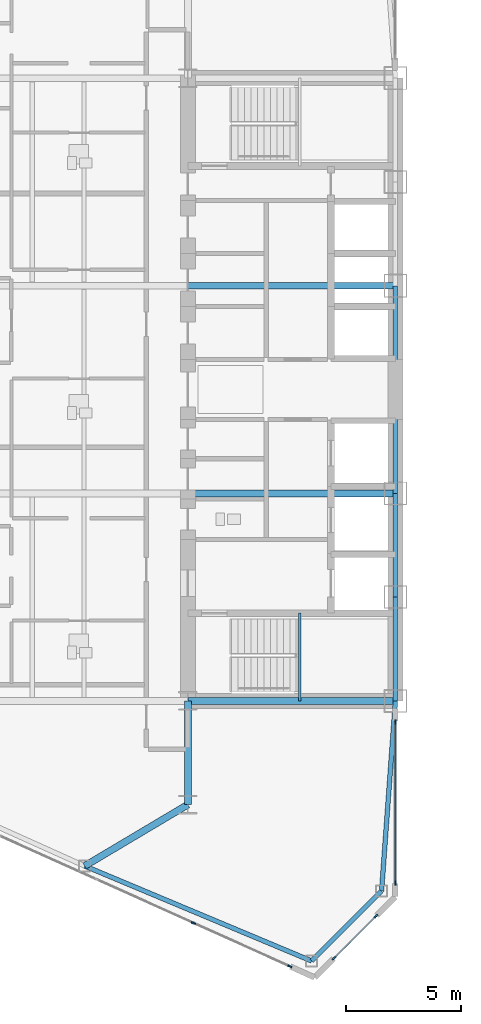
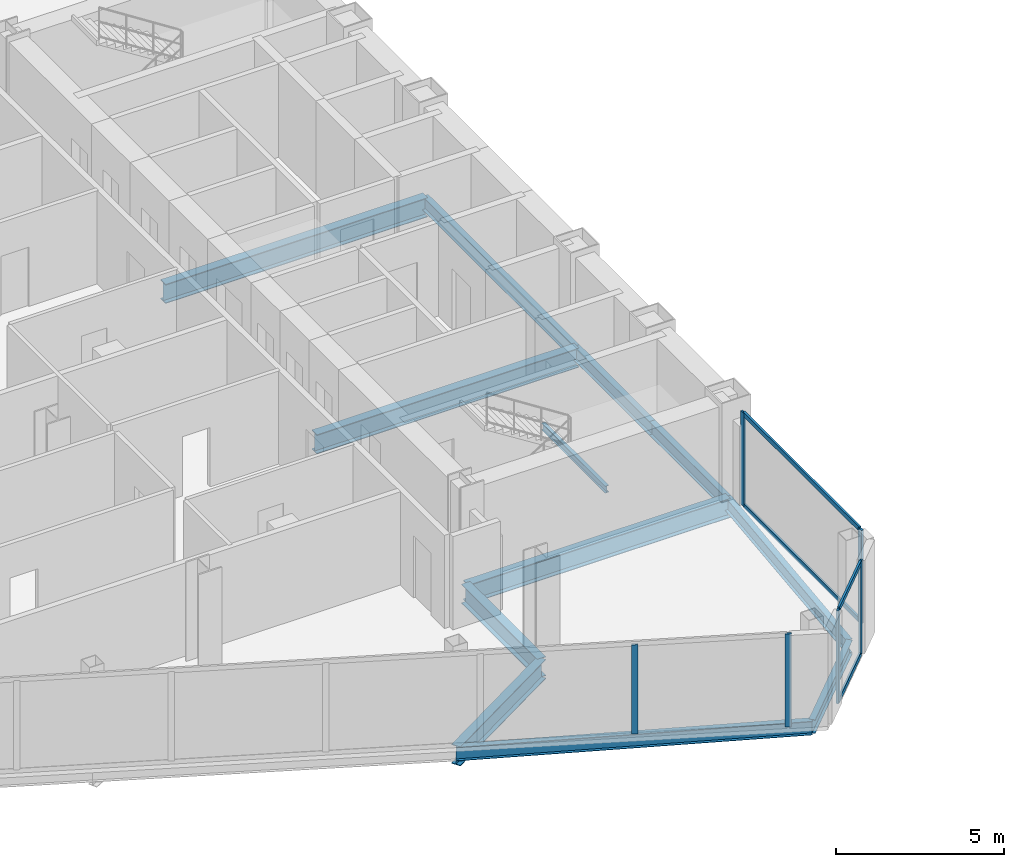
# One storey, part 6 of 27: 12 beams, 10 members, 3 elements without a shape of their own.
"""IFC4 building model written with IfcOpenShell, lengths in metres."""

from ifc_helpers import new_model, si_unit, direction, frame, origin, origin_2d, place, context, subcontext, project, spatial, rectangle, i_section, extrude, source, transform, mapped, material, layer, layer_set, material_profile, profile_set, type_object, type_shapes, element, aggregate, save


model = new_model("IFC4")

# Units and contexts
model_context = context("Model", 3, precision=1e-05, world=origin(), true_north=direction((0.0, 1.0)))
body_context = subcontext(model_context, "Body", "Model", "MODEL_VIEW")
ifc_project = project(units=[si_unit("LENGTHUNIT", "METRE"), si_unit("AREAUNIT", "SQUARE_METRE"), si_unit("VOLUMEUNIT", "CUBIC_METRE"), si_unit("PLANEANGLEUNIT", "RADIAN"), si_unit("MASSUNIT", "GRAM", prefix="KILO")], contexts=[model_context])

# Site, building, storey
site_placement = place(None, origin())
site = spatial("IfcSite", under=ifc_project, at=site_placement, CompositionType="ELEMENT")
building_placement = place(site_placement, origin())
building = spatial("IfcBuilding", under=site, at=building_placement, Name="Seokmaru Belvedere", CompositionType="ELEMENT")
storey_placement = place(building_placement, frame((0.0, 0.0, 99.60009765625)))
storey = spatial("IfcBuildingStorey", under=building, at=storey_placement, Name="L26", CompositionType="ELEMENT", Elevation=99.60009765625)

# Beams
ifc_material_1 = material(Name="Steel SM355 (355 MPa)", Category="steel")
ifc_material_profile_1 = material_profile(ifc_material_1, i_section(OverallWidth=0.199951171875, OverallDepth=0.5, WebThickness=0.010009765625, FlangeThickness=0.01611328125, at=origin_2d()), Name="H-500x200x10x16")
ifc_profile_set_1 = profile_set([ifc_material_profile_1], Name="Steel SM355 (355 MPa)")
beam_type_1 = type_object("IfcBeamType", Name="Perimeter Spandrel Beam H-500", PredefinedType="SPANDREL", material=ifc_profile_set_1)
shared_shape_1 = source(origin(), body_context, "Body", "SweptSolid", [
    extrude(i_section(OverallWidth=0.199951171875, OverallDepth=0.5, WebThickness=0.010009765625, FlangeThickness=0.01611328125, at=origin_2d()), origin(), (0.0, 0.0, 1.0), 4.5),
])
for number, where, z_axis, x_axis, name in (
    (1, (-27.5, -13.5, -0.47021484375), (0.0, 1.0, 0.0), (-1.0, 0.0, 0.0), "L26 W Portal Spine Spandrel 1"),
    (2, (-27.5, -9.0, -0.47021484375), (0.0, 1.0, 0.0), (-1.0, 0.0, 0.0), "L26 W Portal Spine Spandrel 2"),
):
    element("IfcBeam", number, at=place(storey_placement, frame(where, z_axis=z_axis, x_axis=x_axis)), inside=storey, type_object=beam_type_1, Name=name, PredefinedType="SPANDREL", context=body_context, shape_type="MappedRepresentation", body=[
        mapped(shared_shape_1, transform((0.0, 0.0, 0.0), scale=1.0)),
    ])
shared_shape_2 = source(origin(), body_context, "Body", "SweptSolid", [
    extrude(i_section(OverallWidth=0.199951171875, OverallDepth=0.5, WebThickness=0.010009765625, FlangeThickness=0.01611328125, at=origin_2d()), origin(), (0.0, 0.0, 1.0), 9.0),
])
beam_1_placement = place(storey_placement, frame((-27.5, -4.5, -0.47021484375), z_axis=(0.0, 1.0, 0.0), x_axis=(-1.0, 0.0, 0.0)))
element("IfcBeam", 3, at=beam_1_placement, inside=storey, type_object=beam_type_1, Name="L26 W Portal Spine Spandrel 3", PredefinedType="SPANDREL", context=body_context, shape_type="MappedRepresentation", body=[
    mapped(shared_shape_2, transform((0.0, 0.0, 0.0), scale=1.0)),
])
ifc_material_profile_2 = material_profile(ifc_material_1, i_section(OverallWidth=0.300048828125, OverallDepth=0.699951171875, WebThickness=0.012939453125, FlangeThickness=0.02392578125, at=origin_2d()), Name="H-700x300x13x24")
ifc_profile_set_2 = profile_set([ifc_material_profile_2], Name="Steel SM355 (355 MPa)")
beam_type_2 = type_object("IfcBeamType", Name="Primary Floor Girder H-700", PredefinedType="BEAM", material=ifc_profile_set_2)
shared_shape_3 = source(origin(), body_context, "Body", "SweptSolid", [
    extrude(i_section(OverallWidth=0.300048828125, OverallDepth=0.699951171875, WebThickness=0.012939453125, FlangeThickness=0.02392578125, at=origin_2d()), origin(), (0.0, 0.0, 1.0), 4.5),
])
beam_2_placement = place(storey_placement, frame((-36.5, -18.0, -0.570068359375), z_axis=(0.0, 1.0, 0.0), x_axis=(-1.0, 0.0, 0.0)))
element("IfcBeam", 4, at=beam_2_placement, inside=storey, type_object=beam_type_2, Name="L26 W Core Shoulder Girder S", PredefinedType="BEAM", context=body_context, shape_type="MappedRepresentation", body=[
    mapped(shared_shape_3, transform((0.0, 0.0, 0.0), scale=1.0)),
])
shared_shape_4 = source(origin(), body_context, "Body", "SweptSolid", [
    extrude(i_section(OverallWidth=0.300048828125, OverallDepth=0.699951171875, WebThickness=0.012939453125, FlangeThickness=0.02392578125, at=origin_2d()), origin(), (0.0, 0.0, 1.0), 9.0),
])
for number, where, z_axis, x_axis, name in (
    (5, (-36.5, -13.5, -0.570068359375), (1.0, 0.0, 0.0), (0.0, 1.0, 0.0), "L26 W Core Tie Girder 1"),
    (6, (-36.5, -4.5, -0.570068359375), (1.0, 0.0, 0.0), (0.0, 1.0, 0.0), "L26 W Core Tie Girder 2"),
    (7, (-36.5, 4.5, -0.570068359375), (1.0, 0.0, 0.0), (0.0, 1.0, 0.0), "L26 W Core Tie Girder 3"),
):
    element("IfcBeam", number, at=place(storey_placement, frame(where, z_axis=z_axis, x_axis=x_axis)), inside=storey, type_object=beam_type_2, Name=name, PredefinedType="BEAM", context=body_context, shape_type="MappedRepresentation", body=[
        mapped(shared_shape_4, transform((0.0, 0.0, 0.0), scale=1.0)),
    ])
shared_shape_5 = source(origin(), body_context, "Body", "SweptSolid", [
    extrude(i_section(OverallWidth=0.199951171875, OverallDepth=0.5, WebThickness=0.010009765625, FlangeThickness=0.01611328125, at=origin_2d()), origin(), (0.0, 0.0, 1.0), 10.66943359375),
])
beam_3_placement = place(storey_placement, frame((-31.13134765625, -24.782958984375, -0.47021484375), z_axis=(-0.922375393128, 0.386294750355, 0.0), x_axis=(-0.386294750355, -0.922375393128, 0.0)))
element("IfcBeam", 8, at=beam_3_placement, inside=storey, type_object=beam_type_1, Name="L26 W Faceted Flank Spandrel S-1", PredefinedType="SPANDREL", context=body_context, shape_type="MappedRepresentation", body=[
    mapped(shared_shape_5, transform((0.0, 0.0, 0.0), scale=1.0)),
])
shared_shape_6 = source(origin(), body_context, "Body", "SweptSolid", [
    extrude(i_section(OverallWidth=0.199951171875, OverallDepth=0.5, WebThickness=0.010009765625, FlangeThickness=0.01611328125, at=origin_2d()), origin(), (0.0, 0.0, 1.0), 4.287109375),
])
beam_4_placement = place(storey_placement, frame((-31.13134765625, -24.782958984375, -0.47021484375), z_axis=(0.707078306132, 0.707135255094, 0.0), x_axis=(-0.707135255094, 0.707078306132, 0.0)))
element("IfcBeam", 9, at=beam_4_placement, inside=storey, type_object=beam_type_1, Name="L26 W Shoulder Chamfer Spandrel S", PredefinedType="SPANDREL", context=body_context, shape_type="MappedRepresentation", body=[
    mapped(shared_shape_6, transform((0.0, 0.0, 0.0), scale=1.0)),
])
shared_shape_7 = source(origin(), body_context, "Body", "SweptSolid", [
    extrude(i_section(OverallWidth=0.199951171875, OverallDepth=0.5, WebThickness=0.010009765625, FlangeThickness=0.01611328125, at=origin_2d()), origin(), (0.0, 0.0, 1.0), 8.273193359375),
])
type_shapes(beam_type_1, [shared_shape_1, shared_shape_2, shared_shape_5, shared_shape_6, shared_shape_7])
beam_5_placement = place(storey_placement, frame((-28.10009765625, -21.75146484375, -0.47021484375), z_axis=(0.072534628348, 0.99736589459, 0.0), x_axis=(-0.99736589459, 0.072534628348, 0.0)))
element("IfcBeam", 10, at=beam_5_placement, inside=storey, type_object=beam_type_1, Name="L26 W Shoulder Spine Spandrel S", PredefinedType="SPANDREL", context=body_context, shape_type="MappedRepresentation", body=[
    mapped(shared_shape_7, transform((0.0, 0.0, 0.0), scale=1.0)),
])
shared_shape_8 = source(origin(), body_context, "Body", "SweptSolid", [
    extrude(i_section(OverallWidth=0.300048828125, OverallDepth=0.699951171875, WebThickness=0.012939453125, FlangeThickness=0.02392578125, at=origin_2d()), origin(), (0.0, 0.0, 1.0), 5.20458984375),
])
type_shapes(beam_type_2, [shared_shape_3, shared_shape_4, shared_shape_8])
beam_6_placement = place(storey_placement, frame((-40.97265625, -20.661376953125, -0.570068359375), z_axis=(0.859370434188, 0.511353553662, 0.0), x_axis=(-0.511353553662, 0.859370434188, 0.0)))
element("IfcBeam", 11, at=beam_6_placement, inside=storey, type_object=beam_type_2, Name="L26 W Flank Radial Floor Girder S-1", PredefinedType="BEAM", context=body_context, shape_type="MappedRepresentation", body=[
    mapped(shared_shape_8, transform((0.0, 0.0, 0.0), scale=1.0)),
])

# Curtain wall, members
ifc_material_2 = material(Name="Bronze Triple Insulating Glass", Category="glass")
ifc_layer = layer(ifc_material_2, 0.195068359375)
ifc_layer_set = layer_set([ifc_layer], Name="Bronze Triple Insulating Glass")
curtain_wall_type = type_object("IfcCurtainWallType", Name="Lower-Mid Tapered Curtain Wall System CW-3", PredefinedType="NOTDEFINED", material=ifc_layer_set)
curtain_wall_1_placement = place(storey_placement, origin())
curtain_wall_1 = element("IfcCurtainWall", 12, at=curtain_wall_1_placement, inside=storey, type_object=curtain_wall_type, Name="L26 Curtain Wall WSP_1", PredefinedType="NOTDEFINED")
ifc_material_3 = material(Name="Anodised Bronze Aluminium", Category="aluminium")
ifc_material_profile_3 = material_profile(ifc_material_3, rectangle(XDim=0.070068359375, YDim=0.195068359375, at=origin_2d()), Name="CW-M-70x195")
ifc_profile_set_3 = profile_set([ifc_material_profile_3], Name="Anodised Bronze Aluminium")
member_type_1 = type_object("IfcMemberType", Name="Bronze Unitised Mullion 70x195", PredefinedType="MULLION", material=ifc_profile_set_3)
shared_shape_9 = source(origin(), body_context, "Body", "SweptSolid", [
    extrude(rectangle(XDim=0.070068359375, YDim=0.195068359375, at=origin_2d()), origin(), (0.0, 0.0, 1.0), 3.3798828125),
])
member_1_placement = place(storey_placement, frame((-27.5, -21.39501953125, 0.0), z_axis=(0.0, 0.0, 1.0), x_axis=(-1.0, 0.0, 0.0)))
member_1 = element("IfcMember", 13, at=member_1_placement, type_object=member_type_1, Name="CW:L26:WSP_1 Mullion 1", PredefinedType="MULLION", context=body_context, shape_type="MappedRepresentation", body=[
    mapped(shared_shape_9, transform((0.0, 0.0, 0.0), scale=1.0)),
])
member_2_placement = place(storey_placement, frame((-27.5, -14.4150390625, 0.0), z_axis=(0.0, 0.0, 1.0), x_axis=(-1.0, 0.0, 0.0)))
member_2 = element("IfcMember", 14, at=member_2_placement, type_object=member_type_1, Name="CW:L26:WSP_1 Mullion 2", PredefinedType="MULLION", context=body_context, shape_type="MappedRepresentation", body=[
    mapped(shared_shape_9, transform((0.0, 0.0, 0.0), scale=1.0)),
])

# Curtain wall, member
curtain_wall_2_placement = place(storey_placement, origin())
curtain_wall_2 = element("IfcCurtainWall", 15, at=curtain_wall_2_placement, inside=storey, type_object=curtain_wall_type, Name="L26 Curtain Wall WF5", PredefinedType="NOTDEFINED")
member_3_placement = place(storey_placement, frame((-32.08056640625, -25.013671875, 0.0), z_axis=(0.0, 0.0, 1.0), x_axis=(0.41036554765, 0.91192111353, 0.0)))
member_3 = element("IfcMember", 16, at=member_3_placement, type_object=member_type_1, Name="CW:L26:WF5 Mullion 10", PredefinedType="MULLION", context=body_context, shape_type="MappedRepresentation", body=[
    mapped(shared_shape_9, transform((0.0, 0.0, 0.0), scale=1.0)),
])

# Curtain wall, members
curtain_wall_3_placement = place(storey_placement, origin())
curtain_wall_3 = element("IfcCurtainWall", 17, at=curtain_wall_3_placement, inside=storey, type_object=curtain_wall_type, Name="L26 Curtain Wall WF6", PredefinedType="NOTDEFINED")
member_4_placement = place(storey_placement, frame((-30.162109375, -24.662109375, 0.0), z_axis=(0.0, 0.0, 1.0), x_axis=(-0.707106781187, 0.707106781187, 0.0)))
member_4 = element("IfcMember", 18, at=member_4_placement, type_object=member_type_1, Name="CW:L26:WF6 Mullion 1", PredefinedType="MULLION", context=body_context, shape_type="MappedRepresentation", body=[
    mapped(shared_shape_9, transform((0.0, 0.0, 0.0), scale=1.0)),
])
member_5_placement = place(storey_placement, frame((-28.337890625, -22.837890625, 0.0), z_axis=(0.0, 0.0, 1.0), x_axis=(-0.707106781187, 0.707106781187, 0.0)))
member_5 = element("IfcMember", 19, at=member_5_placement, type_object=member_type_1, Name="CW:L26:WF6 Mullion 2", PredefinedType="MULLION", context=body_context, shape_type="MappedRepresentation", body=[
    mapped(shared_shape_9, transform((0.0, 0.0, 0.0), scale=1.0)),
])

# Member
ifc_material_profile_4 = material_profile(ifc_material_3, rectangle(XDim=0.070068359375, YDim=0.1650390625, at=origin_2d()), Name="CW-T-70x165")
ifc_profile_set_4 = profile_set([ifc_material_profile_4], Name="Anodised Bronze Aluminium")
member_type_2 = type_object("IfcMemberType", Name="Bronze Unitised Transom 70x165", PredefinedType="USERDEFINED", material=ifc_profile_set_4)
shared_shape_10 = source(origin(), body_context, "Body", "SweptSolid", [
    extrude(rectangle(XDim=0.070068359375, YDim=0.1650390625, at=origin_2d()), origin(), (0.0, 0.0, 1.0), 6.91015625),
])
member_6_placement = place(storey_placement, frame((-27.5, -21.360107421875, 0.034912109375), z_axis=(0.0, 1.0, 0.0), x_axis=(-1.0, 0.0, 0.0)))
member_6 = element("IfcMember", 20, at=member_6_placement, type_object=member_type_2, Name="CW:L26:WSP_1 Continuous Transom 1", ObjectType="TRANSOM", PredefinedType="USERDEFINED", context=body_context, shape_type="MappedRepresentation", body=[
    mapped(shared_shape_10, transform((0.0, 0.0, 0.0), scale=1.0)),
])

member_7_placement = place(storey_placement, frame((-27.5, -21.360107421875, 3.344970703125), z_axis=(0.0, 1.0, 0.0), x_axis=(-1.0, 0.0, 0.0)))
member_7 = element("IfcMember", 21, at=member_7_placement, type_object=member_type_2, Name="CW:L26:WSP_1 Continuous Transom 2", ObjectType="TRANSOM", PredefinedType="USERDEFINED", context=body_context, shape_type="MappedRepresentation", body=[
    mapped(shared_shape_10, transform((0.0, 0.0, 0.0), scale=1.0)),
])

aggregate(curtain_wall_1, [member_1, member_2, member_6, member_7])

shared_shape_11 = source(origin(), body_context, "Body", "SweptSolid", [
    extrude(rectangle(XDim=0.070068359375, YDim=0.1650390625, at=origin_2d()), origin(), (0.0, 0.0, 1.0), 2.509521484375),
])
type_shapes(member_type_2, [shared_shape_10, shared_shape_11])
member_8_placement = place(storey_placement, frame((-30.13720703125, -24.63720703125, 0.034912109375), z_axis=(0.707106781187, 0.707106781187, 0.0), x_axis=(-0.707106781187, 0.707106781187, 0.0)))
member_8 = element("IfcMember", 22, at=member_8_placement, type_object=member_type_2, Name="CW:L26:WF6 Continuous Transom 1", ObjectType="TRANSOM", PredefinedType="USERDEFINED", context=body_context, shape_type="MappedRepresentation", body=[
    mapped(shared_shape_11, transform((0.0, 0.0, 0.0), scale=1.0)),
])

member_9_placement = place(storey_placement, frame((-30.13720703125, -24.63720703125, 3.344970703125), z_axis=(0.707106781187, 0.707106781187, 0.0), x_axis=(-0.707106781187, 0.707106781187, 0.0)))
member_9 = element("IfcMember", 23, at=member_9_placement, type_object=member_type_2, Name="CW:L26:WF6 Continuous Transom 2", ObjectType="TRANSOM", PredefinedType="USERDEFINED", context=body_context, shape_type="MappedRepresentation", body=[
    mapped(shared_shape_11, transform((0.0, 0.0, 0.0), scale=1.0)),
])

aggregate(curtain_wall_3, [member_4, member_5, member_8, member_9])

shared_shape_12 = source(origin(), body_context, "Body", "SweptSolid", [
    extrude(rectangle(XDim=0.070068359375, YDim=0.195068359375, at=origin_2d()), origin(), (0.0, 0.0, 1.0), 3.239990234375),
])
type_shapes(member_type_1, [shared_shape_9, shared_shape_12])
member_10_placement = place(storey_placement, frame((-36.260009765625, -23.133056640625, 0.06982421875), z_axis=(0.0, 0.0, 1.0), x_axis=(0.41036554765, 0.91192111353, 0.0)))
member_10 = element("IfcMember", 24, at=member_10_placement, type_object=member_type_1, Name="CW:L26:WF5 Mullion 9", PredefinedType="MULLION", context=body_context, shape_type="MappedRepresentation", body=[
    mapped(shared_shape_12, transform((0.0, 0.0, 0.0), scale=1.0)),
])

aggregate(curtain_wall_2, [member_10, member_3])

# Beam
ifc_material_profile_5 = material_profile(ifc_material_1, i_section(OverallWidth=0.125, OverallDepth=0.25, WebThickness=0.006103515625, FlangeThickness=0.009033203125, at=origin_2d()), Name="H-250x125x6x9")
ifc_profile_set_5 = profile_set([ifc_material_profile_5], Name="Steel SM355 (355 MPa)")
beam_type_3 = type_object("IfcBeamType", Name="Stair Mid-Landing Support Beam H-250", PredefinedType="JOIST", material=ifc_profile_set_5)
shared_shape_13 = source(origin(), body_context, "Body", "SweptSolid", [
    extrude(i_section(OverallWidth=0.125, OverallDepth=0.25, WebThickness=0.006103515625, FlangeThickness=0.009033203125, at=origin_2d()), origin(), (0.0, 0.0, 1.0), 3.800048828125),
])
type_shapes(beam_type_3, [shared_shape_13])
beam_7_placement = place(storey_placement, frame((-31.64990234375, -13.5, 1.474853515625), z_axis=(0.0, 1.0, 0.0), x_axis=(-1.0, 0.0, 0.0)))
element("IfcBeam", 25, at=beam_7_placement, inside=storey, type_object=beam_type_3, Name="L26 Stair ST-W1 Mid-Landing Support Beam 1", PredefinedType="JOIST", context=body_context, shape_type="MappedRepresentation", body=[
    mapped(shared_shape_13, transform((0.0, 0.0, 0.0), scale=1.0)),
])

save(model, "model.ifc")
